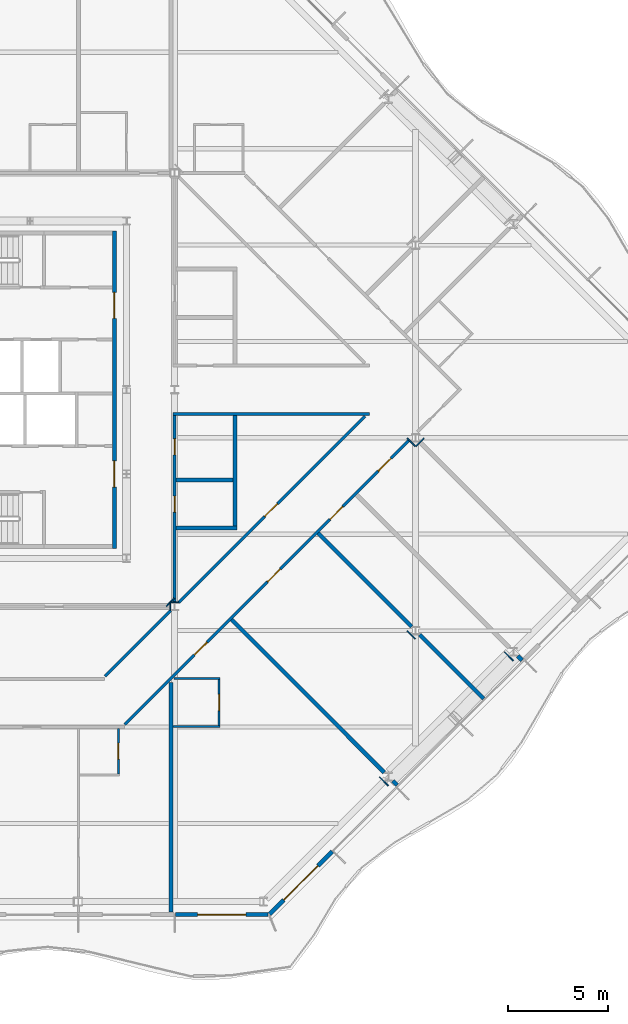
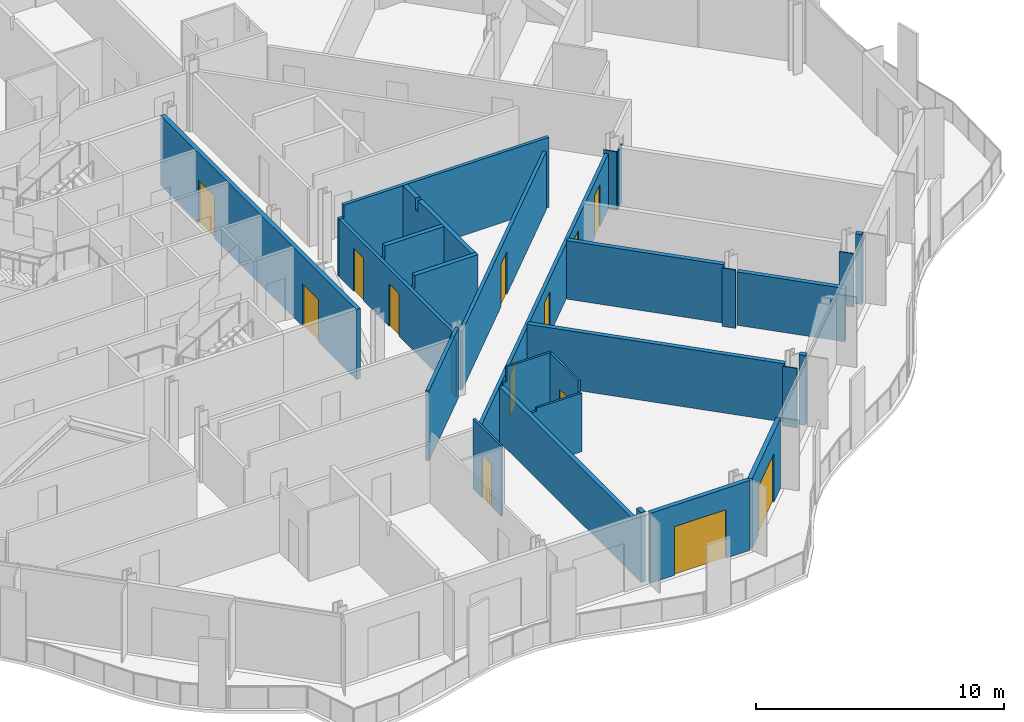
# One storey, part 9 of 17: 29 walls, 13 doors, 13 openings.
"""IFC4 building model written with IfcOpenShell, lengths in metres."""

from ifc_helpers import new_model, si_unit, direction, frame, frame_2d, origin, place, context, subcontext, project, spatial, polyline, rectangle, outline, extrude, material, layer, layer_set, type_object, element, fill, save


model = new_model("IFC4")

# Units and contexts
model_context = context("Model", 3, precision=1e-05, world=origin(), true_north=direction((0.0, 1.0)))
body_context = subcontext(model_context, "Body", "Model", "MODEL_VIEW")
ifc_project = project(units=[si_unit("LENGTHUNIT", "METRE"), si_unit("AREAUNIT", "SQUARE_METRE"), si_unit("VOLUMEUNIT", "CUBIC_METRE"), si_unit("PLANEANGLEUNIT", "RADIAN"), si_unit("MASSUNIT", "GRAM", prefix="KILO")], contexts=[model_context])

# Site, building, storey
site_placement = place(None, origin())
site = spatial("IfcSite", under=ifc_project, at=site_placement, CompositionType="ELEMENT")
building_placement = place(site_placement, origin())
building = spatial("IfcBuilding", under=site, at=building_placement, Name="Cairn Pilgrim Tower", CompositionType="ELEMENT")
storey_placement = place(building_placement, frame((0.0, 0.0, 228.60009765625)))
storey = spatial("IfcBuildingStorey", under=building, at=storey_placement, Name="L58", CompositionType="ELEMENT", Elevation=228.60009765625)

# Wall, opening, door
ifc_material_1 = material(Name="Bronze anodised aluminium insulated sandwich panel with mineral wool fill", Category="aluminium")
ifc_layer_1 = layer(ifc_material_1, 0.199951171875)
ifc_layer_set_1 = layer_set([ifc_layer_1], Name="BRONZE INFILL FRAME WALL 200")
wall_type_1 = type_object("IfcWallType", Name="BRONZE INFILL FRAME WALL 200", PredefinedType="NOTDEFINED", material=ifc_layer_set_1)
wall_1_placement = place(storey_placement, frame((19.22998046875, -23.75, 0.0), z_axis=(0.0, 0.0, 1.0), x_axis=(1.0, 0.0, 0.0)))
wall_1 = element("IfcWall", 1, at=wall_1_placement, inside=storey, type_object=wall_type_1, Name="Bronze infill frame wall IW-S4", PredefinedType="NOTDEFINED", context=body_context, shape_type="SweptSolid", body=[
    extrude(rectangle(XDim=4.62646484375, YDim=0.199951171875, at=frame_2d((2.313232421875, 0.0))), origin(), (0.0, 0.0, 1.0), 3.449951171875),
])
opening_1_placement = place(wall_1_placement, frame((1.11865234375, 0.0, 0.0)))
opening_1 = element("IfcOpeningElement", 2, at=opening_1_placement, cuts=wall_1, Name="Opening 5801B", PredefinedType="OPENING", context=body_context, shape_type="SweptSolid", body=[
    extrude(rectangle(XDim=2.39990234375, YDim=2.39990234375, at=frame_2d((1.199951171875, 1.199951171875))), frame((0.0, 0.10986328125, 0.0), z_axis=(0.0, -1.0, 0.0), x_axis=(1.0, 0.0, 0.0)), (0.0, 0.0, 1.0), 0.219970703125),
])
ifc_material_2 = material(Name="Bronze anodised aluminium frame with tinted low-E glass", Category="aluminium")
door_type_1 = type_object("IfcDoorType", Name="BALCONY SLIDING DOOR 2400x2400", OperationType="DOUBLE_DOOR_SLIDING", PredefinedType="DOOR", material=ifc_material_2)
door_1_placement = place(opening_1_placement, origin())
door_1 = element("IfcDoor", 3, at=door_1_placement, inside=storey, type_object=door_type_1, Name="Balcony sliding door 5801B", OperationType="SINGLE_SWING_LEFT", OverallHeight=2.39990234375, OverallWidth=2.39990234375, PredefinedType="DOOR", context=body_context, shape_type="SweptSolid", body=[
    extrude(rectangle(XDim=2.39990234375, YDim=2.39990234375, at=frame_2d((1.199951171875, 1.199951171875))), frame((0.0, 0.02490234375, 0.0), z_axis=(0.0, -1.0, 0.0), x_axis=(1.0, 0.0, 0.0)), (0.0, 0.0, 1.0), 0.050048828125),
])
fill(opening_1, door_1)

wall_2_placement = place(storey_placement, frame((23.9248046875, -23.7216796875, 0.0), z_axis=(0.0, 0.0, 1.0), x_axis=(0.707106781187, 0.707106781187, 0.0)))
wall_2 = element("IfcWall", 4, at=wall_2_placement, inside=storey, type_object=wall_type_1, Name="Bronze infill frame wall IW-SE1", PredefinedType="NOTDEFINED", context=body_context, shape_type="SweptSolid", body=[
    extrude(rectangle(XDim=4.4208984375, YDim=0.199951171875, at=frame_2d((2.21044921875, 0.0))), origin(), (0.0, 0.0, 1.0), 3.449951171875),
])
opening_2_placement = place(wall_2_placement, frame((1.00537109375, 0.0, 0.0)))
opening_2 = element("IfcOpeningElement", 5, at=opening_2_placement, cuts=wall_2, Name="Opening 5801B2", PredefinedType="OPENING", context=body_context, shape_type="SweptSolid", body=[
    extrude(rectangle(XDim=2.39990234375, YDim=2.39990234375, at=frame_2d((1.199951171875, 1.199951171875))), frame((0.0, 0.10986328125, 0.0), z_axis=(0.0, -1.0, 0.0), x_axis=(1.0, 0.0, 0.0)), (0.0, 0.0, 1.0), 0.219970703125),
])
door_2_placement = place(opening_2_placement, origin())
door_2 = element("IfcDoor", 6, at=door_2_placement, inside=storey, type_object=door_type_1, Name="Balcony sliding door 5801B2", OperationType="SINGLE_SWING_LEFT", OverallHeight=2.39990234375, OverallWidth=2.39990234375, PredefinedType="DOOR", context=body_context, shape_type="SweptSolid", body=[
    extrude(rectangle(XDim=2.39990234375, YDim=2.39990234375, at=frame_2d((1.199951171875, 1.199951171875))), frame((0.0, 0.02490234375, 0.0), z_axis=(0.0, -1.0, 0.0), x_axis=(1.0, 0.0, 0.0)), (0.0, 0.0, 1.0), 0.050048828125),
])
fill(opening_2, door_2)

# Wall, openings, doors
ifc_material_3 = material(Name="Concrete C32/40", Category="concrete")
ifc_layer_2 = layer(ifc_material_3, 0.199951171875)
ifc_layer_set_2 = layer_set([ifc_layer_2], Name="CORE OUTER WALL 200 EI 120")
wall_type_2 = type_object("IfcWallType", Name="CORE OUTER WALL 200 EI 120", PredefinedType="SOLIDWALL", material=ifc_layer_set_2)
wall_3_placement = place(storey_placement, frame((16.199951171875, -5.5, 0.0), z_axis=(0.0, 0.0, 1.0), x_axis=(0.0, 1.0, 0.0)))
wall_3 = element("IfcWall", 7, at=wall_3_placement, inside=storey, type_object=wall_type_2, Name="CW:L58:V30", PredefinedType="SOLIDWALL", context=body_context, shape_type="SweptSolid", body=[
    extrude(rectangle(XDim=15.800048828125, YDim=0.199951171875, at=frame_2d((7.89990234375, 0.0))), origin(), (0.0, 0.0, 1.0), 3.449951171875),
])
opening_3_placement = place(wall_3_placement, frame((3.050048828125, 0.0, 0.0)))
opening_3 = element("IfcOpeningElement", 8, at=opening_3_placement, cuts=wall_3, Name="Opening CD-E1", PredefinedType="OPENING", context=body_context, shape_type="SweptSolid", body=[
    extrude(rectangle(XDim=1.300048828125, YDim=2.10009765625, at=frame_2d((0.64990234375, 1.050048828125))), frame((0.0, 0.10986328125, 0.0), z_axis=(0.0, -1.0, 0.0), x_axis=(1.0, 0.0, 0.0)), (0.0, 0.0, 1.0), 0.219970703125),
])
opening_4_placement = place(wall_3_placement, frame((11.449951171875, 0.0, 0.0)))
opening_4 = element("IfcOpeningElement", 9, at=opening_4_placement, cuts=wall_3, Name="Opening CD-E2", PredefinedType="OPENING", context=body_context, shape_type="SweptSolid", body=[
    extrude(rectangle(XDim=1.300048828125, YDim=2.10009765625, at=frame_2d((0.64990234375, 1.050048828125))), frame((0.0, 0.10986328125, 0.0), z_axis=(0.0, -1.0, 0.0), x_axis=(1.0, 0.0, 0.0)), (0.0, 0.0, 1.0), 0.219970703125),
])
ifc_material_4 = material(Name="Painted steel", Category="steel")
door_type_2 = type_object("IfcDoorType", Name="CORE LOBBY DOOR 1300x2100", OperationType="DOUBLE_DOOR_SINGLE_SWING", PredefinedType="DOOR", material=ifc_material_4)
door_3_placement = place(opening_3_placement, origin())
door_3 = element("IfcDoor", 10, at=door_3_placement, inside=storey, type_object=door_type_2, Name="CD-E1", OperationType="DOUBLE_DOOR_SINGLE_SWING", OverallHeight=2.10009765625, OverallWidth=1.300048828125, PredefinedType="DOOR", context=body_context, shape_type="SweptSolid", body=[
    extrude(rectangle(XDim=1.300048828125, YDim=2.10009765625, at=frame_2d((0.64990234375, 1.050048828125))), frame((0.0, 0.02490234375, 0.0), z_axis=(0.0, -1.0, 0.0), x_axis=(1.0, 0.0, 0.0)), (0.0, 0.0, 1.0), 0.050048828125),
])
fill(opening_3, door_3)
door_4_placement = place(opening_4_placement, origin())
door_4 = element("IfcDoor", 11, at=door_4_placement, inside=storey, type_object=door_type_2, Name="CD-E2", OperationType="DOUBLE_DOOR_SINGLE_SWING", OverallHeight=2.10009765625, OverallWidth=1.300048828125, PredefinedType="DOOR", context=body_context, shape_type="SweptSolid", body=[
    extrude(rectangle(XDim=1.300048828125, YDim=2.10009765625, at=frame_2d((0.64990234375, 1.050048828125))), frame((0.0, 0.02490234375, 0.0), z_axis=(0.0, -1.0, 0.0), x_axis=(1.0, 0.0, 0.0)), (0.0, 0.0, 1.0), 0.050048828125),
])
fill(opening_4, door_4)

# Wall, opening, door
ifc_material_5 = material(Name="Gypsum partition")
ifc_layer_3 = layer(ifc_material_5, 0.10009765625)
ifc_layer_set_3 = layer_set([ifc_layer_3], Name="PARTITION 100 DRYWALL")
wall_type_3 = type_object("IfcWallType", Name="PARTITION 100 DRYWALL", PredefinedType="PARTITIONING", material=ifc_layer_set_3)
wall_4_placement = place(storey_placement, frame((16.39990234375, -16.75, 0.0), z_axis=(0.0, 0.0, 1.0), x_axis=(0.0, 1.0, 0.0)))
wall_4 = element("IfcWall", 12, at=wall_4_placement, inside=storey, type_object=wall_type_3, Name="PARTITION W009", PredefinedType="PARTITIONING", context=body_context, shape_type="SweptSolid", body=[
    extrude(outline(polyline([(0.0, 0.0), (2.27490234375, 0.0), (2.27490234375, 2.8798828125), (2.2451171875, 2.8798828125), (2.242919921875, 3.449951171875), (0.0, 3.449951171875), (0.0, 0.0)])), frame((0.0, 0.050048828125, 0.0), z_axis=(0.0, -1.0, 0.0), x_axis=(1.0, 0.0, 0.0)), (0.0, 0.0, 1.0), 0.10009765625),
])
opening_5_placement = place(wall_4_placement, frame((0.75, 0.0, 0.0)))
opening_5 = element("IfcOpeningElement", 13, at=opening_5_placement, cuts=wall_4, Name="Opening 5814A", PredefinedType="OPENING", context=body_context, shape_type="SweptSolid", body=[
    extrude(rectangle(XDim=0.800048828125, YDim=2.10009765625, at=frame_2d((0.39990234375, 1.050048828125))), frame((0.0, 0.06005859375, 0.0), z_axis=(0.0, -1.0, 0.0), x_axis=(1.0, 0.0, 0.0)), (0.0, 0.0, 1.0), 0.1201171875),
])
ifc_material_6 = material(Name="Timber door leaf", Category="wood")
door_type_3 = type_object("IfcDoorType", Name="WC DOOR 800x2100", OperationType="NOTDEFINED", PredefinedType="DOOR", material=ifc_material_6)
door_5_placement = place(opening_5_placement, frame((0.800048828125, 0.0, 0.0), z_axis=(0.0, 0.0, 1.0), x_axis=(-1.0, 0.0, 0.0)))
door_5 = element("IfcDoor", 14, at=door_5_placement, inside=storey, type_object=door_type_3, Name="DOOR 5814A", OperationType="SINGLE_SWING_RIGHT", OverallHeight=2.10009765625, OverallWidth=0.800048828125, PredefinedType="DOOR", context=body_context, shape_type="SweptSolid", body=[
    extrude(rectangle(XDim=0.800048828125, YDim=2.10009765625, at=frame_2d((0.39990234375, 1.050048828125))), frame((0.0, 0.02490234375, 0.0), z_axis=(0.0, -1.0, 0.0), x_axis=(1.0, 0.0, 0.0)), (0.0, 0.0, 1.0), 0.050048828125),
])
fill(opening_5, door_5)

# Wall
wall_5_placement = place(storey_placement, frame((19.114013671875, -14.3798828125, 0.0), z_axis=(0.0, 0.0, 1.0), x_axis=(1.0, 0.0, 0.0)))
element("IfcWall", 15, at=wall_5_placement, inside=storey, type_object=wall_type_3, Name="PARTITION W012", PredefinedType="PARTITIONING", context=body_context, shape_type="SweptSolid", body=[
    extrude(outline(polyline([(0.0, 0.0), (2.35009765625, 0.0), (2.35009765625, 2.8798828125), (0.236083984375, 2.8798828125), (0.23388671875, 2.72998046875), (0.0, 2.72998046875), (0.0, 0.0)])), frame((0.0, 0.050048828125, 0.0), z_axis=(0.0, -1.0, 0.0), x_axis=(1.0, 0.0, 0.0)), (0.0, 0.0, 1.0), 0.10009765625),
])

# Wall, opening, door
wall_6_placement = place(storey_placement, frame((21.4140625, -14.330078125, 0.0), z_axis=(0.0, 0.0, 1.0), x_axis=(0.0, 1.0, 0.0)))
wall_6 = element("IfcWall", 16, at=wall_6_placement, inside=storey, type_object=wall_type_3, Name="PARTITION W014", PredefinedType="PARTITIONING", context=body_context, shape_type="SweptSolid", body=[
    extrude(outline(polyline([(0.0, 0.0), (2.300048828125, 0.0), (2.300048828125, 3.449951171875), (0.034912109375, 3.449951171875), (0.032958984375, 2.8798828125), (0.0, 2.8798828125), (0.0, 0.0)])), frame((0.0, 0.050048828125, 0.0), z_axis=(0.0, -1.0, 0.0), x_axis=(1.0, 0.0, 0.0)), (0.0, 0.0, 1.0), 0.10009765625),
])
opening_6_placement = place(wall_6_placement, frame((0.75, 0.0, 0.0)))
opening_6 = element("IfcOpeningElement", 17, at=opening_6_placement, cuts=wall_6, Name="Opening 5801A", PredefinedType="OPENING", context=body_context, shape_type="SweptSolid", body=[
    extrude(rectangle(XDim=0.800048828125, YDim=2.10009765625, at=frame_2d((0.39990234375, 1.050048828125))), frame((0.0, 0.06005859375, 0.0), z_axis=(0.0, -1.0, 0.0), x_axis=(1.0, 0.0, 0.0)), (0.0, 0.0, 1.0), 0.1201171875),
])
door_6_placement = place(opening_6_placement, frame((0.800048828125, 0.0, 0.0), z_axis=(0.0, 0.0, 1.0), x_axis=(-1.0, 0.0, 0.0)))
door_6 = element("IfcDoor", 18, at=door_6_placement, inside=storey, type_object=door_type_3, Name="DOOR 5801A", OperationType="SINGLE_SWING_LEFT", OverallHeight=2.10009765625, OverallWidth=0.800048828125, PredefinedType="DOOR", context=body_context, shape_type="SweptSolid", body=[
    extrude(rectangle(XDim=0.800048828125, YDim=2.10009765625, at=frame_2d((0.39990234375, 1.050048828125))), frame((0.0, 0.02490234375, 0.0), z_axis=(0.0, -1.0, 0.0), x_axis=(1.0, 0.0, 0.0)), (0.0, 0.0, 1.0), 0.050048828125),
])
fill(opening_6, door_6)

# Wall
wall_7_placement = place(storey_placement, frame((19.170166015625, -11.97998046875, 0.0), z_axis=(0.0, 0.0, 1.0), x_axis=(1.0, 0.0, 0.0)))
element("IfcWall", 19, at=wall_7_placement, inside=storey, type_object=wall_type_3, Name="PARTITION W019", PredefinedType="PARTITIONING", context=body_context, shape_type="SweptSolid", body=[
    extrude(outline(polyline([(0.0, 0.0), (2.2939453125, 0.0), (2.2939453125, 3.449951171875), (0.179931640625, 3.449951171875), (0.177978515625, 2.72998046875), (0.0, 2.72998046875), (0.0, 0.0)])), frame((0.0, 0.050048828125, 0.0), z_axis=(0.0, -1.0, 0.0), x_axis=(1.0, 0.0, 0.0)), (0.0, 0.0, 1.0), 0.10009765625),
])

# Wall, openings, doors
ifc_layer_4 = layer(ifc_material_5, 0.14990234375)
ifc_layer_set_4 = layer_set([ifc_layer_4], Name="PARTITION 150 DRYWALL EI 60")
wall_type_4 = type_object("IfcWallType", Name="PARTITION 150 DRYWALL EI 60", PredefinedType="PARTITIONING", material=ifc_layer_set_4)
wall_8_placement = place(storey_placement, frame((16.721923828125, -14.27197265625, 0.0), z_axis=(0.0, 0.0, 1.0), x_axis=(0.707106781187, 0.707106781187, 0.0)))
wall_8 = element("IfcWall", 20, at=wall_8_placement, inside=storey, type_object=wall_type_4, Name="PARTITION W013", PredefinedType="PARTITIONING", context=body_context, shape_type="SweptSolid", body=[
    extrude(rectangle(XDim=20.04931640625, YDim=0.14990234375, at=frame_2d((10.024658203125, 0.0))), origin(), (0.0, 0.0, 1.0), 2.72998046875),
])
opening_7_placement = place(wall_8_placement, frame((4.891845703125, 0.0, 0.0)))
opening_7 = element("IfcOpeningElement", 21, at=opening_7_placement, cuts=wall_8, Name="Opening 5801", PredefinedType="OPENING", context=body_context, shape_type="SweptSolid", body=[
    extrude(rectangle(XDim=0.89990234375, YDim=2.10009765625, at=frame_2d((0.449951171875, 1.050048828125))), frame((0.0, 0.0849609375, 0.0), z_axis=(0.0, -1.0, 0.0), x_axis=(1.0, 0.0, 0.0)), (0.0, 0.0, 1.0), 0.169921875),
])
opening_8_placement = place(wall_8_placement, frame((10.0419921875, 0.0, 0.0)))
opening_8 = element("IfcOpeningElement", 22, at=opening_8_placement, cuts=wall_8, Name="Opening 5802", PredefinedType="OPENING", context=body_context, shape_type="SweptSolid", body=[
    extrude(rectangle(XDim=0.89990234375, YDim=2.10009765625, at=frame_2d((0.449951171875, 1.050048828125))), frame((0.0, 0.0849609375, 0.0), z_axis=(0.0, -1.0, 0.0), x_axis=(1.0, 0.0, 0.0)), (0.0, 0.0, 1.0), 0.169921875),
])
opening_9_placement = place(wall_8_placement, frame((14.443115234375, 0.0, 0.0)))
opening_9 = element("IfcOpeningElement", 23, at=opening_9_placement, cuts=wall_8, Name="Opening 5803", PredefinedType="OPENING", context=body_context, shape_type="SweptSolid", body=[
    extrude(rectangle(XDim=0.89990234375, YDim=2.10009765625, at=frame_2d((0.449951171875, 1.050048828125))), frame((0.0, 0.0849609375, 0.0), z_axis=(0.0, -1.0, 0.0), x_axis=(1.0, 0.0, 0.0)), (0.0, 0.0, 1.0), 0.169921875),
])
opening_10_placement = place(wall_8_placement, frame((17.837158203125, 0.0, 0.0)))
opening_10 = element("IfcOpeningElement", 24, at=opening_10_placement, cuts=wall_8, Name="Opening 5804", PredefinedType="OPENING", context=body_context, shape_type="SweptSolid", body=[
    extrude(rectangle(XDim=0.89990234375, YDim=2.10009765625, at=frame_2d((0.449951171875, 1.050048828125))), frame((0.0, 0.0849609375, 0.0), z_axis=(0.0, -1.0, 0.0), x_axis=(1.0, 0.0, 0.0)), (0.0, 0.0, 1.0), 0.169921875),
])
door_type_4 = type_object("IfcDoorType", Name="ROOM DOOR 900x2100 FD30S", OperationType="NOTDEFINED", PredefinedType="DOOR", material=ifc_material_6)
door_7_placement = place(opening_7_placement, frame((0.89990234375, 0.0, 0.0), z_axis=(0.0, 0.0, 1.0), x_axis=(-1.0, 0.0, 0.0)))
door_7 = element("IfcDoor", 25, at=door_7_placement, inside=storey, type_object=door_type_4, Name="DOOR 5801", OperationType="SINGLE_SWING_LEFT", OverallHeight=2.10009765625, OverallWidth=0.89990234375, PredefinedType="DOOR", context=body_context, shape_type="SweptSolid", body=[
    extrude(rectangle(XDim=0.89990234375, YDim=2.10009765625, at=frame_2d((0.449951171875, 1.050048828125))), frame((0.0, 0.02490234375, 0.0), z_axis=(0.0, -1.0, 0.0), x_axis=(1.0, 0.0, 0.0)), (0.0, 0.0, 1.0), 0.050048828125),
])
fill(opening_7, door_7)
door_type_5 = type_object("IfcDoorType", Name="SERVICE DOOR 900x2100 FD30S", OperationType="NOTDEFINED", PredefinedType="DOOR", material=ifc_material_6)
door_8_placement = place(opening_8_placement, frame((0.89990234375, 0.0, 0.0), z_axis=(0.0, 0.0, 1.0), x_axis=(-1.0, 0.0, 0.0)))
door_8 = element("IfcDoor", 26, at=door_8_placement, inside=storey, type_object=door_type_5, Name="DOOR 5802", OperationType="SINGLE_SWING_LEFT", OverallHeight=2.10009765625, OverallWidth=0.89990234375, PredefinedType="DOOR", context=body_context, shape_type="SweptSolid", body=[
    extrude(rectangle(XDim=0.89990234375, YDim=2.10009765625, at=frame_2d((0.449951171875, 1.050048828125))), frame((0.0, 0.02490234375, 0.0), z_axis=(0.0, -1.0, 0.0), x_axis=(1.0, 0.0, 0.0)), (0.0, 0.0, 1.0), 0.050048828125),
])
fill(opening_8, door_8)
door_9_placement = place(opening_9_placement, frame((0.89990234375, 0.0, 0.0), z_axis=(0.0, 0.0, 1.0), x_axis=(-1.0, 0.0, 0.0)))
door_9 = element("IfcDoor", 27, at=door_9_placement, inside=storey, type_object=door_type_5, Name="DOOR 5803", OperationType="SINGLE_SWING_LEFT", OverallHeight=2.10009765625, OverallWidth=0.89990234375, PredefinedType="DOOR", context=body_context, shape_type="SweptSolid", body=[
    extrude(rectangle(XDim=0.89990234375, YDim=2.10009765625, at=frame_2d((0.449951171875, 1.050048828125))), frame((0.0, 0.02490234375, 0.0), z_axis=(0.0, -1.0, 0.0), x_axis=(1.0, 0.0, 0.0)), (0.0, 0.0, 1.0), 0.050048828125),
])
fill(opening_9, door_9)
door_10_placement = place(opening_10_placement, frame((0.89990234375, 0.0, 0.0), z_axis=(0.0, 0.0, 1.0), x_axis=(-1.0, 0.0, 0.0)))
door_10 = element("IfcDoor", 28, at=door_10_placement, inside=storey, type_object=door_type_5, Name="DOOR 5804", OperationType="SINGLE_SWING_LEFT", OverallHeight=2.10009765625, OverallWidth=0.89990234375, PredefinedType="DOOR", context=body_context, shape_type="SweptSolid", body=[
    extrude(rectangle(XDim=0.89990234375, YDim=2.10009765625, at=frame_2d((0.449951171875, 1.050048828125))), frame((0.0, 0.02490234375, 0.0), z_axis=(0.0, -1.0, 0.0), x_axis=(1.0, 0.0, 0.0)), (0.0, 0.0, 1.0), 0.050048828125),
])
fill(opening_10, door_10)

# Wall
wall_9_placement = place(storey_placement, frame((15.72802734375, -11.8720703125, 0.0), z_axis=(0.0, 0.0, 1.0), x_axis=(0.707080416772, 0.707133144618, 0.0)))
element("IfcWall", 29, at=wall_9_placement, inside=storey, type_object=wall_type_4, Name="PARTITION W024", PredefinedType="PARTITIONING", context=body_context, shape_type="SweptSolid", body=[
    extrude(rectangle(XDim=4.630126953125, YDim=0.14990234375, at=frame_2d((2.31494140625, 0.0))), origin(), (0.0, 0.0, 1.0), 3.449951171875),
])

# Wall, openings, doors
wall_10_placement = place(storey_placement, frame((19.199951171875, -8.20361328125, 0.0), z_axis=(0.0, 0.0, 1.0), x_axis=(0.0, 1.0, 0.0)))
wall_10 = element("IfcWall", 30, at=wall_10_placement, inside=storey, type_object=wall_type_4, Name="PARTITION W033", PredefinedType="PARTITIONING", context=body_context, shape_type="SweptSolid", body=[
    extrude(rectangle(XDim=9.32861328125, YDim=0.14990234375, at=frame_2d((4.664306640625, 0.0))), origin(), (0.0, 0.0, 1.0), 2.829833984375),
])
opening_11_placement = place(wall_10_placement, frame((7.353515625, 0.0, 0.0)))
opening_11 = element("IfcOpeningElement", 31, at=opening_11_placement, cuts=wall_10, Name="Opening 5815", PredefinedType="OPENING", context=body_context, shape_type="SweptSolid", body=[
    extrude(rectangle(XDim=0.800048828125, YDim=2.10009765625, at=frame_2d((0.39990234375, 1.050048828125))), frame((0.0, 0.0849609375, 0.0), z_axis=(0.0, -1.0, 0.0), x_axis=(1.0, 0.0, 0.0)), (0.0, 0.0, 1.0), 0.169921875),
])
opening_12_placement = place(wall_10_placement, frame((4.50341796875, 0.0, 0.0)))
opening_12 = element("IfcOpeningElement", 32, at=opening_12_placement, cuts=wall_10, Name="Opening 5819", PredefinedType="OPENING", context=body_context, shape_type="SweptSolid", body=[
    extrude(rectangle(XDim=0.800048828125, YDim=2.10009765625, at=frame_2d((0.39990234375, 1.050048828125))), frame((0.0, 0.0849609375, 0.0), z_axis=(0.0, -1.0, 0.0), x_axis=(1.0, 0.0, 0.0)), (0.0, 0.0, 1.0), 0.169921875),
])
door_type_6 = type_object("IfcDoorType", Name="WC DOOR 800x2100 FD30S", OperationType="NOTDEFINED", PredefinedType="DOOR", material=ifc_material_6)
door_11_placement = place(opening_11_placement, frame((0.800048828125, 0.0, 0.0), z_axis=(0.0, 0.0, 1.0), x_axis=(-1.0, 0.0, 0.0)))
door_11 = element("IfcDoor", 33, at=door_11_placement, inside=storey, type_object=door_type_6, Name="DOOR 5815", OperationType="SINGLE_SWING_RIGHT", OverallHeight=2.10009765625, OverallWidth=0.800048828125, PredefinedType="DOOR", context=body_context, shape_type="SweptSolid", body=[
    extrude(rectangle(XDim=0.800048828125, YDim=2.10009765625, at=frame_2d((0.39990234375, 1.050048828125))), frame((0.0, 0.02490234375, 0.0), z_axis=(0.0, -1.0, 0.0), x_axis=(1.0, 0.0, 0.0)), (0.0, 0.0, 1.0), 0.050048828125),
])
fill(opening_11, door_11)
door_12_placement = place(opening_12_placement, frame((0.800048828125, 0.0, 0.0), z_axis=(0.0, 0.0, 1.0), x_axis=(-1.0, 0.0, 0.0)))
door_12 = element("IfcDoor", 34, at=door_12_placement, inside=storey, type_object=door_type_6, Name="DOOR 5819", OperationType="SINGLE_SWING_RIGHT", OverallHeight=2.10009765625, OverallWidth=0.800048828125, PredefinedType="DOOR", context=body_context, shape_type="SweptSolid", body=[
    extrude(rectangle(XDim=0.800048828125, YDim=2.10009765625, at=frame_2d((0.39990234375, 1.050048828125))), frame((0.0, 0.02490234375, 0.0), z_axis=(0.0, -1.0, 0.0), x_axis=(1.0, 0.0, 0.0)), (0.0, 0.0, 1.0), 0.050048828125),
])
fill(opening_12, door_12)

# Wall, opening, door
wall_11_placement = place(storey_placement, frame((19.39794921875, -8.201904296875, 0.0), z_axis=(0.0, 0.0, 1.0), x_axis=(0.707116088468, 0.707097473782, 0.0)))
wall_11 = element("IfcWall", 35, at=wall_11_placement, inside=storey, type_object=wall_type_4, Name="PARTITION W034", PredefinedType="PARTITIONING", context=body_context, shape_type="SweptSolid", body=[
    extrude(rectangle(XDim=13.115478515625, YDim=0.14990234375, at=frame_2d((6.5576171875, 0.0))), origin(), (0.0, 0.0, 1.0), 2.8798828125),
])
opening_13_placement = place(wall_11_placement, frame((6.05810546875, 0.0, 0.0)))
opening_13 = element("IfcOpeningElement", 36, at=opening_13_placement, cuts=wall_11, Name="Opening 5820", PredefinedType="OPENING", context=body_context, shape_type="SweptSolid", body=[
    extrude(rectangle(XDim=0.89990234375, YDim=2.10009765625, at=frame_2d((0.449951171875, 1.050048828125))), frame((0.0, 0.0849609375, 0.0), z_axis=(0.0, -1.0, 0.0), x_axis=(1.0, 0.0, 0.0)), (0.0, 0.0, 1.0), 0.169921875),
])
door_13_placement = place(opening_13_placement, origin())
door_13 = element("IfcDoor", 37, at=door_13_placement, inside=storey, type_object=door_type_5, Name="DOOR 5820", OperationType="SINGLE_SWING_LEFT", OverallHeight=2.10009765625, OverallWidth=0.89990234375, PredefinedType="DOOR", context=body_context, shape_type="SweptSolid", body=[
    extrude(rectangle(XDim=0.89990234375, YDim=2.10009765625, at=frame_2d((0.449951171875, 1.050048828125))), frame((0.0, 0.02490234375, 0.0), z_axis=(0.0, -1.0, 0.0), x_axis=(1.0, 0.0, 0.0)), (0.0, 0.0, 1.0), 0.050048828125),
])
fill(opening_13, door_13)

# Walls
wall_12_placement = place(storey_placement, frame((19.125, 1.199951171875, 0.0), z_axis=(0.0, 0.0, 1.0), x_axis=(1.0, 0.0, 0.0)))
element("IfcWall", 38, at=wall_12_placement, inside=storey, type_object=wall_type_4, Name="PARTITION W045", PredefinedType="PARTITIONING", context=body_context, shape_type="SweptSolid", body=[
    extrude(outline(polyline([(0.0, 0.0), (9.781005859375, 0.0), (9.781005859375, 3.449951171875), (0.22509765625, 3.449951171875), (0.222900390625, 2.829833984375), (0.0, 2.829833984375), (0.0, 0.0)])), frame((0.0, 0.074951171875, 0.0), z_axis=(0.0, -1.0, 0.0), x_axis=(1.0, 0.0, 0.0)), (0.0, 0.0, 1.0), 0.14990234375),
])
ifc_layer_5 = layer(ifc_material_5, 0.050048828125)
ifc_layer_set_5 = layer_set([ifc_layer_5], Name="PARTITION 50 DRYWALL EI 60")
wall_type_5 = type_object("IfcWallType", Name="PARTITION 50 DRYWALL EI 60", PredefinedType="PARTITIONING", material=ifc_layer_set_5)
wall_13_placement = place(storey_placement, frame((29.833740234375, -17.324462890625, 0.0), z_axis=(0.0, 0.0, 1.0), x_axis=(-0.706906496032, 0.707307009627, 0.0)))
element("IfcWall", 39, at=wall_13_placement, inside=storey, type_object=wall_type_5, Name="COLUMN CASING WC02", PredefinedType="PARTITIONING", context=body_context, shape_type="SweptSolid", body=[
    extrude(rectangle(XDim=0.609619140625, YDim=0.050048828125, at=frame_2d((0.3046875, 0.0))), origin(), (0.0, 0.0, 1.0), 2.929931640625),
])
wall_14_placement = place(storey_placement, frame((31.2177734375, -0.413818359375, 0.0), z_axis=(0.0, 0.0, 1.0), x_axis=(0.706888841063, 0.707324654159, 0.0)))
element("IfcWall", 40, at=wall_14_placement, inside=storey, type_object=wall_type_5, Name="COLUMN CASING WC03", PredefinedType="PARTITIONING", context=body_context, shape_type="SweptSolid", body=[
    extrude(rectangle(XDim=0.560302734375, YDim=0.050048828125, at=frame_2d((0.2802734375, 0.0))), origin(), (0.0, 0.0, 1.0), 2.8798828125),
])
wall_15_placement = place(storey_placement, frame((31.182373046875, -10.013671875, 0.0), z_axis=(0.0, 0.0, 1.0), x_axis=(-0.707106781187, 0.707106781187, 0.0)))
element("IfcWall", 41, at=wall_15_placement, inside=storey, type_object=wall_type_5, Name="COLUMN CASING WC04", PredefinedType="PARTITIONING", context=body_context, shape_type="SweptSolid", body=[
    extrude(rectangle(XDim=0.56005859375, YDim=0.050048828125, at=frame_2d((0.280029296875, 0.0))), origin(), (0.0, 0.0, 1.0), 2.8798828125),
])
wall_16_placement = place(storey_placement, frame((18.786376953125, -8.38232421875, 0.0), z_axis=(0.0, 0.0, 1.0), x_axis=(0.707106781187, 0.707106781187, 0.0)))
element("IfcWall", 42, at=wall_16_placement, inside=storey, type_object=wall_type_5, Name="COLUMN CASING WC06", PredefinedType="PARTITIONING", context=body_context, shape_type="SweptSolid", body=[
    extrude(rectangle(XDim=0.56005859375, YDim=0.050048828125, at=frame_2d((0.280029296875, 0.0))), origin(), (0.0, 0.0, 1.0), 2.829833984375),
])
wall_17_placement = place(storey_placement, frame((36.05810546875, -11.10009765625, 0.0), z_axis=(0.0, 0.0, 1.0), x_axis=(-0.707307009627, 0.706906496032, 0.0)))
element("IfcWall", 43, at=wall_17_placement, inside=storey, type_object=wall_type_5, Name="COLUMN CASING WC07", PredefinedType="PARTITIONING", context=body_context, shape_type="SweptSolid", body=[
    extrude(rectangle(XDim=0.609619140625, YDim=0.050048828125, at=frame_2d((0.3046875, 0.0))), origin(), (0.0, 0.0, 1.0), 2.6298828125),
])
wall_18_placement = place(storey_placement, frame((19.00048828125, -8.178466796875, 0.0), z_axis=(0.0, 0.0, 1.0), x_axis=(1.0, 0.0, 0.0)))
element("IfcWall", 44, at=wall_18_placement, inside=storey, type_object=wall_type_5, Name="COLUMN CASING WC13", PredefinedType="PARTITIONING", context=body_context, shape_type="SweptSolid", body=[
    extrude(rectangle(XDim=0.39892578125, YDim=0.050048828125, at=frame_2d((0.199462890625, 0.0))), origin(), (0.0, 0.0, 1.0), 2.829833984375),
])
wall_19_placement = place(storey_placement, frame((18.9755859375, -8.596435546875, 0.0), z_axis=(0.0, 0.0, 1.0), x_axis=(0.0, 1.0, 0.0)))
element("IfcWall", 45, at=wall_19_placement, inside=storey, type_object=wall_type_5, Name="COLUMN CASING WC14", PredefinedType="PARTITIONING", context=body_context, shape_type="SweptSolid", body=[
    extrude(rectangle(XDim=0.392822265625, YDim=0.050048828125, at=frame_2d((0.1962890625, 0.0))), origin(), (0.0, 0.0, 1.0), 2.829833984375),
])
wall_20_placement = place(storey_placement, frame((31.182373046875, -0.413818359375, 0.0), z_axis=(0.0, 0.0, 1.0), x_axis=(-0.706888841063, 0.707324654159, 0.0)))
element("IfcWall", 46, at=wall_20_placement, inside=storey, type_object=wall_type_5, Name="COLUMN CASING WC15", PredefinedType="PARTITIONING", context=body_context, shape_type="SweptSolid", body=[
    extrude(rectangle(XDim=0.560302734375, YDim=0.050048828125, at=frame_2d((0.2802734375, 0.0))), origin(), (0.0, 0.0, 1.0), 2.8798828125),
])
ifc_layer_6 = layer(ifc_material_5, 0.199951171875)
ifc_layer_set_6 = layer_set([ifc_layer_6], Name="SHAFT WALL 200 GYPSUM EI 60")
wall_type_6 = type_object("IfcWallType", Name="SHAFT WALL 200 GYPSUM EI 60", PredefinedType="PARTITIONING", material=ifc_layer_set_6)
wall_21_placement = place(storey_placement, frame((19.013916015625, -23.6201171875, 0.0), z_axis=(0.0, 0.0, 1.0), x_axis=(0.0, 1.0, 0.0)))
element("IfcWall", 47, at=wall_21_placement, inside=storey, type_object=wall_type_6, Name="PARTITION W003", PredefinedType="PARTITIONING", context=body_context, shape_type="SweptSolid", body=[
    extrude(outline(polyline([(0.0, 0.0), (11.43408203125, 0.0), (11.433837890625, 2.72998046875), (0.639892578125, 2.72998046875), (0.637939453125, 2.929931640625), (0.3701171875, 2.929931640625), (0.367919921875, 3.449951171875), (0.0, 3.449951171875), (0.0, 0.0)])), frame((0.0, 0.10009765625, 0.0), z_axis=(0.0, -1.0, 0.0), x_axis=(1.0, 0.0, 0.0)), (0.0, 0.0, 1.0), 0.199951171875),
])
wall_22_placement = place(storey_placement, frame((30.268798828125, -17.292724609375, 0.0), z_axis=(0.0, 0.0, 1.0), x_axis=(-0.707106781187, 0.707106781187, 0.0)))
element("IfcWall", 48, at=wall_22_placement, inside=storey, type_object=wall_type_6, Name="PARTITION W005", PredefinedType="PARTITIONING", context=body_context, shape_type="SweptSolid", body=[
    extrude(rectangle(XDim=0.28515625, YDim=0.199951171875, at=frame_2d((0.142578125, 0.0))), origin(), (0.0, 0.0, 1.0), 3.449951171875),
])
wall_23_placement = place(storey_placement, frame((29.635986328125, -16.66015625, 0.0), z_axis=(0.0, 0.0, 1.0), x_axis=(-0.707095420673, 0.707118141518, 0.0)))
element("IfcWall", 49, at=wall_23_placement, inside=storey, type_object=wall_type_6, Name="PARTITION W010", PredefinedType="PARTITIONING", context=body_context, shape_type="SweptSolid", body=[
    extrude(rectangle(XDim=10.7451171875, YDim=0.199951171875, at=frame_2d((5.37255859375, 0.0))), origin(), (0.0, 0.0, 1.0), 2.8798828125),
])
wall_24_placement = place(storey_placement, frame((34.580810546875, -12.980712890625, 0.0), z_axis=(0.0, 0.0, 1.0), x_axis=(-0.707133900936, 0.707079660397, 0.0)))
element("IfcWall", 50, at=wall_24_placement, inside=storey, type_object=wall_type_6, Name="PARTITION W016", PredefinedType="PARTITIONING", context=body_context, shape_type="SweptSolid", body=[
    extrude(rectangle(XDim=4.5009765625, YDim=0.199951171875, at=frame_2d((2.25048828125, 0.0))), origin(), (0.0, 0.0, 1.0), 2.6298828125),
])
wall_25_placement = place(storey_placement, frame((36.492919921875, -11.06884765625, 0.0), z_axis=(0.0, 0.0, 1.0), x_axis=(-0.707534423513, 0.706678880075, 0.0)))
element("IfcWall", 51, at=wall_25_placement, inside=storey, type_object=wall_type_6, Name="PARTITION W025", PredefinedType="PARTITIONING", context=body_context, shape_type="SweptSolid", body=[
    extrude(rectangle(XDim=0.285400390625, YDim=0.199951171875, at=frame_2d((0.142578125, 0.0))), origin(), (0.0, 0.0, 1.0), 3.449951171875),
])
wall_26_placement = place(storey_placement, frame((31.001953125, -9.402099609375, 0.0), z_axis=(0.0, 0.0, 1.0), x_axis=(-0.707088226093, 0.707125335793, 0.0)))
element("IfcWall", 52, at=wall_26_placement, inside=storey, type_object=wall_type_6, Name="PARTITION W029", PredefinedType="PARTITIONING", context=body_context, shape_type="SweptSolid", body=[
    extrude(rectangle(XDim=6.578857421875, YDim=0.199951171875, at=frame_2d((3.28955078125, 0.0))), origin(), (0.0, 0.0, 1.0), 2.8798828125),
])
wall_27_placement = place(storey_placement, frame((19.27490234375, -4.5, 0.0), z_axis=(0.0, 0.0, 1.0), x_axis=(1.0, 0.0, 0.0)))
element("IfcWall", 53, at=wall_27_placement, inside=storey, type_object=wall_type_6, Name="PARTITION W038", PredefinedType="PARTITIONING", context=body_context, shape_type="SweptSolid", body=[
    extrude(outline(polyline([(0.0, 0.0), (3.025146484375, 0.0), (3.02490234375, 3.449951171875), (0.074951171875, 3.449951171875), (0.072998046875, 2.829833984375), (0.0, 2.829833984375), (0.0, 0.0)])), frame((0.0, 0.10009765625, 0.0), z_axis=(0.0, -1.0, 0.0), x_axis=(1.0, 0.0, 0.0)), (0.0, 0.0, 1.0), 0.199951171875),
])
wall_28_placement = place(storey_placement, frame((22.199951171875, -4.39990234375, 0.0), z_axis=(0.0, 0.0, 1.0), x_axis=(0.0, 1.0, 0.0)))
element("IfcWall", 54, at=wall_28_placement, inside=storey, type_object=wall_type_6, Name="PARTITION W039", PredefinedType="PARTITIONING", context=body_context, shape_type="SweptSolid", body=[
    extrude(outline(polyline([(0.0, 0.0), (5.52490234375, 0.0), (5.52490234375, 3.449951171875), (4.5048828125, 3.449951171875), (4.5029296875, 2.8798828125), (4.294921875, 2.8798828125), (4.29296875, 3.449951171875), (0.0, 3.449951171875), (0.0, 0.0)])), frame((0.0, 0.10009765625, 0.0), z_axis=(0.0, -1.0, 0.0), x_axis=(1.0, 0.0, 0.0)), (0.0, 0.0, 1.0), 0.199951171875),
])
wall_29_placement = place(storey_placement, frame((19.27490234375, -2.10009765625, 0.0), z_axis=(0.0, 0.0, 1.0), x_axis=(1.0, 0.0, 0.0)))
element("IfcWall", 55, at=wall_29_placement, inside=storey, type_object=wall_type_6, Name="PARTITION W042", PredefinedType="PARTITIONING", context=body_context, shape_type="SweptSolid", body=[
    extrude(outline(polyline([(0.0, 0.0), (2.8251953125, 0.0), (2.824951171875, 3.449951171875), (0.074951171875, 3.449951171875), (0.072998046875, 2.829833984375), (0.0, 2.829833984375), (0.0, 0.0)])), frame((0.0, 0.10009765625, 0.0), z_axis=(0.0, -1.0, 0.0), x_axis=(1.0, 0.0, 0.0)), (0.0, 0.0, 1.0), 0.199951171875),
])

save(model, "model.ifc")
